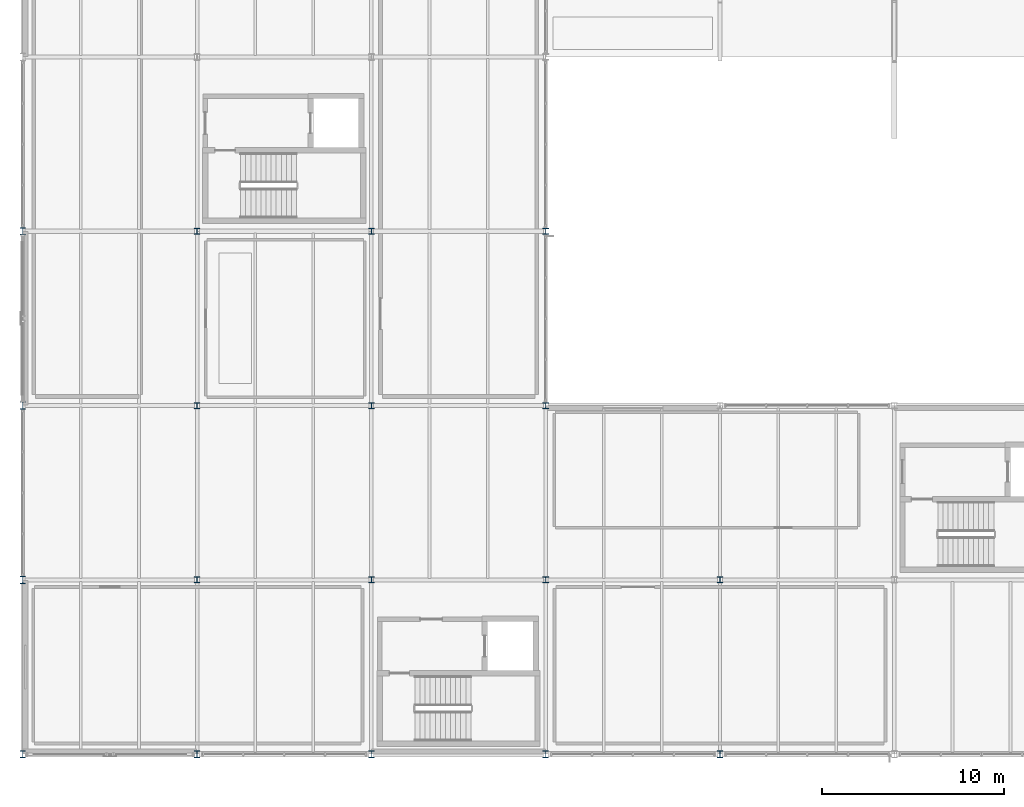
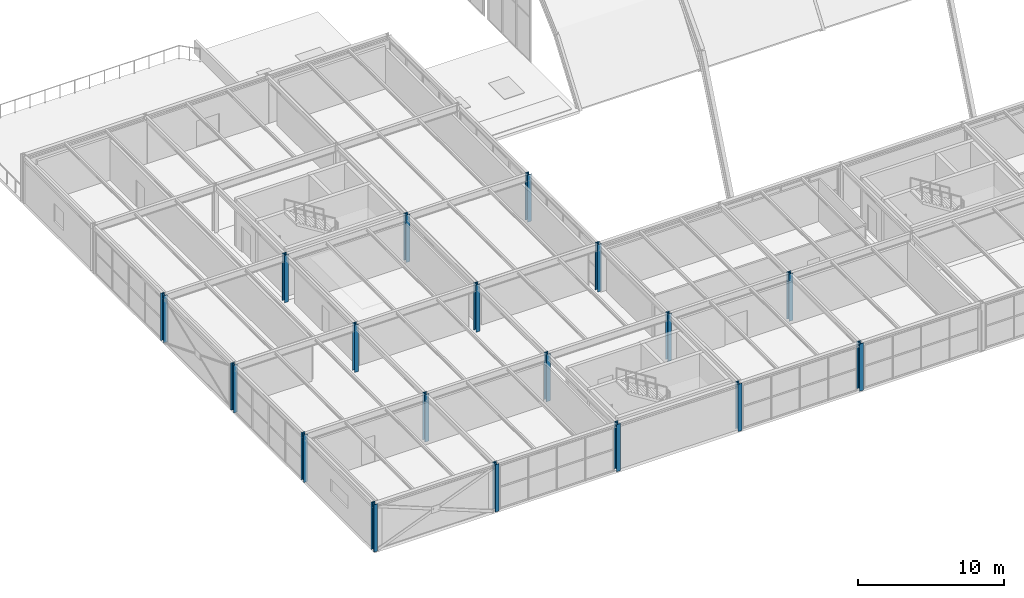
# One storey, part 1 of 126: 18 columns.
"""IFC4 building model written with IfcOpenShell, lengths in metres."""

from ifc_helpers import new_model, si_unit, direction, frame, origin, origin_2d, place, context, subcontext, project, spatial, i_section, extrude, material, material_profile, profile_set, type_object, element, save


model = new_model("IFC4")

# Units and contexts
model_context = context("Model", 3, precision=1e-05, world=origin(), true_north=direction((0.0, 1.0)))
body_context = subcontext(model_context, "Body", "Model", "MODEL_VIEW")
ifc_project = project(units=[si_unit("LENGTHUNIT", "METRE"), si_unit("AREAUNIT", "SQUARE_METRE"), si_unit("VOLUMEUNIT", "CUBIC_METRE"), si_unit("PLANEANGLEUNIT", "RADIAN"), si_unit("MASSUNIT", "GRAM", prefix="KILO")], contexts=[model_context])

# Site, building, storey
site_placement = place(None, origin())
site = spatial("IfcSite", under=ifc_project, at=site_placement, CompositionType="ELEMENT")
building_placement = place(site_placement, origin())
building = spatial("IfcBuilding", under=site, at=building_placement, Name="Coralgate Yard Interchange", CompositionType="ELEMENT")
storey_placement = place(building_placement, frame((0.0, 0.0, 10.5)))
storey = spatial("IfcBuildingStorey", under=building, at=storey_placement, Name="L02", CompositionType="ELEMENT", Elevation=10.5)

# Columns
ifc_material = material(Name="Structural steel S355J2", Category="steel")
ifc_material_profile_1 = material_profile(ifc_material, i_section(OverallWidth=0.300048828125, OverallDepth=0.39990234375, WebThickness=0.013427734375, FlangeThickness=0.02392578125, FilletRadius=0.027099609375, at=origin_2d()), Name="HEB 400")
ifc_profile_set_1 = profile_set([ifc_material_profile_1], Name="Structural steel S355J2")
column_type_1 = type_object("IfcColumnType", Name="COL-SC-11", PredefinedType="COLUMN", material=ifc_profile_set_1)
for number, where, z_axis, x_axis, name in (
    (1, (0.0, 0.0, 0.0), (0.0, 0.0, 1.0), (1.0, 0.0, 0.0), "L02 structural column 0-0"),
    (2, (0.0, 9.60009765625, 0.0), (0.0, 0.0, 1.0), (1.0, 0.0, 0.0), "L02 structural column 0-1"),
    (3, (0.0, 19.199951171875, 0.0), (0.0, 0.0, 1.0), (1.0, 0.0, 0.0), "L02 structural column 0-2"),
    (4, (0.0, 28.800048828125, 0.0), (0.0, 0.0, 1.0), (1.0, 0.0, 0.0), "L02 structural column 0-3"),
    (5, (9.60009765625, 0.0, 0.0), (0.0, 0.0, 1.0), (1.0, 0.0, 0.0), "L02 structural column 1-0"),
    (6, (19.199951171875, 0.0, 0.0), (0.0, 0.0, 1.0), (1.0, 0.0, 0.0), "L02 structural column 2-0"),
    (7, (28.800048828125, 0.0, 0.0), (0.0, 0.0, 1.0), (1.0, 0.0, 0.0), "L02 structural column 3-0"),
    (8, (38.39990234375, 0.0, 0.0), (0.0, 0.0, 1.0), (1.0, 0.0, 0.0), "L02 structural column 4-0"),
):
    element("IfcColumn", number, at=place(storey_placement, frame(where, z_axis=z_axis, x_axis=x_axis)), inside=storey, type_object=column_type_1, Name=name, PredefinedType="COLUMN", context=body_context, shape_type="SweptSolid", body=[
        extrude(i_section(OverallWidth=0.300048828125, OverallDepth=0.39990234375, WebThickness=0.013427734375, FlangeThickness=0.02392578125, FilletRadius=0.027099609375, at=origin_2d()), origin(), (0.0, 0.0, 1.0), 3.949951171875),
    ])
ifc_material_profile_2 = material_profile(ifc_material, i_section(OverallWidth=0.314453125, OverallDepth=0.33984375, WebThickness=0.01904296875, FlangeThickness=0.031494140625, FilletRadius=0.01513671875, at=origin_2d()), Name="UC 305x305x198")
ifc_profile_set_2 = profile_set([ifc_material_profile_2], Name="Structural steel S355J2")
column_type_2 = type_object("IfcColumnType", Name="COL-SC-4", PredefinedType="COLUMN", material=ifc_profile_set_2)
for number, where, z_axis, x_axis, name in (
    (9, (9.60009765625, 9.60009765625, 0.0), (0.0, 0.0, 1.0), (1.0, 0.0, 0.0), "L02 structural column 1-1"),
    (10, (9.60009765625, 19.199951171875, 0.0), (0.0, 0.0, 1.0), (1.0, 0.0, 0.0), "L02 structural column 1-2"),
    (11, (9.60009765625, 28.800048828125, 0.0), (0.0, 0.0, 1.0), (1.0, 0.0, 0.0), "L02 structural column 1-3"),
    (12, (19.199951171875, 9.60009765625, 0.0), (0.0, 0.0, 1.0), (1.0, 0.0, 0.0), "L02 structural column 2-1"),
    (13, (19.199951171875, 19.199951171875, 0.0), (0.0, 0.0, 1.0), (1.0, 0.0, 0.0), "L02 structural column 2-2"),
    (14, (19.199951171875, 28.800048828125, 0.0), (0.0, 0.0, 1.0), (1.0, 0.0, 0.0), "L02 structural column 2-3"),
    (15, (28.800048828125, 9.60009765625, 0.0), (0.0, 0.0, 1.0), (1.0, 0.0, 0.0), "L02 structural column 3-1"),
    (16, (28.800048828125, 19.199951171875, 0.0), (0.0, 0.0, 1.0), (1.0, 0.0, 0.0), "L02 structural column 3-2"),
    (17, (28.800048828125, 28.800048828125, 0.0), (0.0, 0.0, 1.0), (1.0, 0.0, 0.0), "L02 structural column 3-3"),
    (18, (38.39990234375, 9.60009765625, 0.0), (0.0, 0.0, 1.0), (1.0, 0.0, 0.0), "L02 structural column 4-1"),
):
    element("IfcColumn", number, at=place(storey_placement, frame(where, z_axis=z_axis, x_axis=x_axis)), inside=storey, type_object=column_type_2, Name=name, PredefinedType="COLUMN", context=body_context, shape_type="SweptSolid", body=[
        extrude(i_section(OverallWidth=0.314453125, OverallDepth=0.33984375, WebThickness=0.01904296875, FlangeThickness=0.031494140625, FilletRadius=0.01513671875, at=origin_2d()), origin(), (0.0, 0.0, 1.0), 3.949951171875),
    ])

save(model, "model.ifc")
